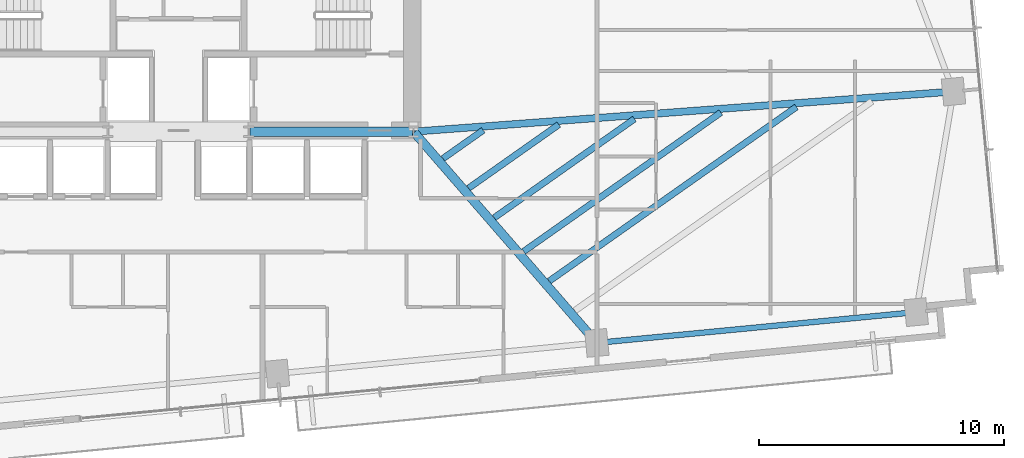
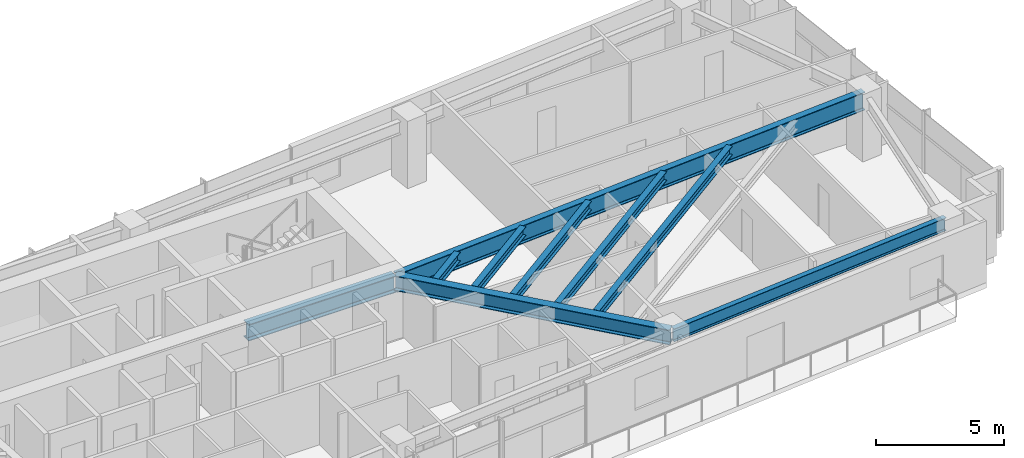
# One storey, part 13 of 27: 9 beams.
"""IFC4 building model written with IfcOpenShell, lengths in metres."""

from ifc_helpers import new_model, si_unit, direction, frame, origin, origin_2d, place, context, subcontext, project, spatial, i_section, extrude, source, transform, mapped, material, material_profile, profile_set, type_object, type_shapes, element, save


model = new_model("IFC4")

# Units and contexts
model_context = context("Model", 3, precision=1e-05, world=origin(), true_north=direction((0.0, 1.0)))
body_context = subcontext(model_context, "Body", "Model", "MODEL_VIEW")
ifc_project = project(units=[si_unit("LENGTHUNIT", "METRE"), si_unit("AREAUNIT", "SQUARE_METRE"), si_unit("VOLUMEUNIT", "CUBIC_METRE"), si_unit("PLANEANGLEUNIT", "RADIAN"), si_unit("MASSUNIT", "GRAM", prefix="KILO")], contexts=[model_context])

# Site, building, storey
site_placement = place(None, origin())
site = spatial("IfcSite", under=ifc_project, at=site_placement, CompositionType="ELEMENT")
building_placement = place(site_placement, origin())
building = spatial("IfcBuilding", under=site, at=building_placement, Name="Astriad Promenade Condominiums", CompositionType="ELEMENT")
storey_placement = place(building_placement, frame((0.0, 0.0, 87.39990234375)))
storey = spatial("IfcBuildingStorey", under=building, at=storey_placement, Name="L24", CompositionType="ELEMENT", Elevation=87.39990234375)

# Beams
ifc_material = material(Name="Steel ASTM A992 Grade 50", Category="steel")
ifc_material_profile_1 = material_profile(ifc_material, i_section(OverallWidth=0.3837890625, OverallDepth=0.785888671875, WebThickness=0.019775390625, FlangeThickness=0.033447265625, FilletRadius=0.021484375, at=origin_2d()), Name="W30X211")
ifc_profile_set_1 = profile_set([ifc_material_profile_1], Name="Steel ASTM A992 Grade 50")
beam_type_1 = type_object("IfcBeamType", Name="STEEL FLOOR GIRDER W30X211", PredefinedType="BEAM", material=ifc_profile_set_1)
shared_shape_1 = source(origin(), body_context, "Body", "SweptSolid", [
    extrude(i_section(OverallWidth=0.3837890625, OverallDepth=0.785888671875, WebThickness=0.019775390625, FlangeThickness=0.033447265625, FilletRadius=0.021484375, at=origin_2d()), origin(), (0.0, 0.0, 1.0), 6.64013671875),
])
type_shapes(beam_type_1, [shared_shape_1])
beam_1_placement = place(storey_placement, frame((38.919921875, 17.39990234375, 2.547119140625), z_axis=(1.0, 0.0, 0.0), x_axis=(0.0, 1.0, 0.0)))
element("IfcBeam", 1, at=beam_1_placement, inside=storey, type_object=beam_type_1, Name="Core Ring Beam CG-S3-L24", PredefinedType="BEAM", context=body_context, shape_type="MappedRepresentation", body=[
    mapped(shared_shape_1, transform((0.0, 0.0, 0.0), scale=1.0)),
])
ifc_material_profile_2 = material_profile(ifc_material, i_section(OverallWidth=0.22900390625, OverallDepth=0.612060546875, WebThickness=0.011962890625, FlangeThickness=0.01953125, FilletRadius=0.017822265625, at=origin_2d()), Name="W24X84")
ifc_profile_set_2 = profile_set([ifc_material_profile_2], Name="Steel ASTM A992 Grade 50")
beam_type_2 = type_object("IfcBeamType", Name="STEEL SPANDREL BEAM W24X84", PredefinedType="SPANDREL", material=ifc_profile_set_2)
shared_shape_2 = source(origin(), body_context, "Body", "SweptSolid", [
    extrude(i_section(OverallWidth=0.22900390625, OverallDepth=0.612060546875, WebThickness=0.011962890625, FlangeThickness=0.01953125, FilletRadius=0.017822265625, at=origin_2d()), origin(), (0.0, 0.0, 1.0), 13.020263671875),
])
type_shapes(beam_type_2, [shared_shape_2])
beam_2_placement = place(storey_placement, frame((53.124755859375, 8.780029296875, 2.634033203125), z_axis=(0.995395311238, 0.095854965264, 0.0), x_axis=(-0.095854965264, 0.995395311238, 0.0)))
element("IfcBeam", 2, at=beam_2_placement, inside=storey, type_object=beam_type_2, Name="Perimeter Spandrel Beam SP-S4-L24", PredefinedType="SPANDREL", context=body_context, shape_type="MappedRepresentation", body=[
    mapped(shared_shape_2, transform((0.0, 0.0, 0.0), scale=1.0)),
])
ifc_material_profile_3 = material_profile(ifc_material, i_section(OverallWidth=0.35791015625, OverallDepth=0.706298828125, WebThickness=0.018310546875, FlangeThickness=0.0302734375, FilletRadius=0.020263671875, at=origin_2d()), Name="W27X178")
ifc_profile_set_3 = profile_set([ifc_material_profile_3], Name="Steel ASTM A992 Grade 50")
beam_type_3 = type_object("IfcBeamType", Name="STEEL FLOOR GIRDER W27X178", PredefinedType="BEAM", material=ifc_profile_set_3)
shared_shape_3 = source(origin(), body_context, "Body", "SweptSolid", [
    extrude(i_section(OverallWidth=0.35791015625, OverallDepth=0.706298828125, WebThickness=0.018310546875, FlangeThickness=0.0302734375, FilletRadius=0.020263671875, at=origin_2d()), origin(), (0.0, 0.0, 1.0), 11.339111328125),
])
type_shapes(beam_type_3, [shared_shape_3])
beam_3_placement = place(storey_placement, frame((53.058837890625, 8.806396484375, 2.5869140625), z_axis=(-0.65548120109, 0.755211490258, 0.0), x_axis=(-0.755211490258, -0.65548120109, 0.0)))
element("IfcBeam", 3, at=beam_3_placement, inside=storey, type_object=beam_type_3, Name="Primary Floor Girder PG-E2-L24", PredefinedType="BEAM", context=body_context, shape_type="MappedRepresentation", body=[
    mapped(shared_shape_3, transform((0.0, 0.0, 0.0), scale=1.0)),
])
ifc_material_profile_4 = material_profile(ifc_material, i_section(OverallWidth=0.2919921875, OverallDepth=0.85888671875, WebThickness=0.01708984375, FlangeThickness=0.031005859375, FilletRadius=0.02294921875, at=origin_2d()), Name="W33X169")
ifc_profile_set_4 = profile_set([ifc_material_profile_4], Name="Steel ASTM A992 Grade 50")
beam_type_4 = type_object("IfcBeamType", Name="STEEL PRIMARY GIRDER W33X169", PredefinedType="BEAM", material=ifc_profile_set_4)
shared_shape_4 = source(origin(), body_context, "Body", "SweptSolid", [
    extrude(i_section(OverallWidth=0.2919921875, OverallDepth=0.85888671875, WebThickness=0.01708984375, FlangeThickness=0.031005859375, FilletRadius=0.02294921875, at=origin_2d()), origin(), (0.0, 0.0, 1.0), 22.029052734375),
])
type_shapes(beam_type_4, [shared_shape_4])
beam_4_placement = place(storey_placement, frame((67.6083984375, 19.036376953125, 2.510498046875), z_axis=(-0.99724763887, -0.074142745897, 0.0), x_axis=(0.074142745897, -0.99724763887, 0.0)))
element("IfcBeam", 4, at=beam_4_placement, inside=storey, type_object=beam_type_4, Name="Primary Floor Girder PG-EM-L24", PredefinedType="BEAM", context=body_context, shape_type="MappedRepresentation", body=[
    mapped(shared_shape_4, transform((0.0, 0.0, 0.0), scale=1.0)),
])
ifc_material_profile_5 = material_profile(ifc_material, i_section(OverallWidth=0.26318359375, OverallDepth=0.425537109375, WebThickness=0.01318359375, FlangeThickness=0.022216796875, FilletRadius=0.013916015625, at=origin_2d()), Name="W16X89")
ifc_profile_set_5 = profile_set([ifc_material_profile_5], Name="Steel ASTM A992 Grade 50")
beam_type_5 = type_object("IfcBeamType", Name="STEEL FLOOR JOIST W16X89", PredefinedType="JOIST", material=ifc_profile_set_5)
shared_shape_5 = source(origin(), body_context, "Body", "SweptSolid", [
    extrude(i_section(OverallWidth=0.26318359375, OverallDepth=0.425537109375, WebThickness=0.01318359375, FlangeThickness=0.022216796875, FilletRadius=0.013916015625, at=origin_2d()), origin(), (0.0, 0.0, 1.0), 12.34375),
])
beam_5_placement = place(storey_placement, frame((51.144287109375, 11.30029296875, 2.727294921875), z_axis=(0.817418723738, 0.576043948048, 0.0), x_axis=(-0.576043948048, 0.817418723738, 0.0)))
element("IfcBeam", 5, at=beam_5_placement, inside=storey, type_object=beam_type_5, Name="Secondary Composite Floor Joist JE1-2-L24", PredefinedType="JOIST", context=body_context, shape_type="MappedRepresentation", body=[
    mapped(shared_shape_5, transform((0.0, 0.0, 0.0), scale=1.0)),
])
shared_shape_6 = source(origin(), body_context, "Body", "SweptSolid", [
    extrude(i_section(OverallWidth=0.26318359375, OverallDepth=0.425537109375, WebThickness=0.01318359375, FlangeThickness=0.022216796875, FilletRadius=0.013916015625, at=origin_2d()), origin(), (0.0, 0.0, 1.0), 9.849609375),
])
beam_6_placement = place(storey_placement, frame((50.096435546875, 12.507568359375, 2.727294921875), z_axis=(0.817418240833, 0.5760446333, 0.0), x_axis=(-0.5760446333, 0.817418240833, 0.0)))
element("IfcBeam", 6, at=beam_6_placement, inside=storey, type_object=beam_type_5, Name="Secondary Composite Floor Joist JE1-3-L24", PredefinedType="JOIST", context=body_context, shape_type="MappedRepresentation", body=[
    mapped(shared_shape_6, transform((0.0, 0.0, 0.0), scale=1.0)),
])
shared_shape_7 = source(origin(), body_context, "Body", "SweptSolid", [
    extrude(i_section(OverallWidth=0.26318359375, OverallDepth=0.425537109375, WebThickness=0.01318359375, FlangeThickness=0.022216796875, FilletRadius=0.013916015625, at=origin_2d()), origin(), (0.0, 0.0, 1.0), 6.9990234375),
])
beam_7_placement = place(storey_placement, frame((48.898681640625, 13.88720703125, 2.727294921875), z_axis=(0.81742196028, 0.576039355298, 0.0), x_axis=(-0.576039355298, 0.81742196028, 0.0)))
element("IfcBeam", 7, at=beam_7_placement, inside=storey, type_object=beam_type_5, Name="Secondary Composite Floor Joist JE1-4-L24", PredefinedType="JOIST", context=body_context, shape_type="MappedRepresentation", body=[
    mapped(shared_shape_7, transform((0.0, 0.0, 0.0), scale=1.0)),
])
shared_shape_8 = source(origin(), body_context, "Body", "SweptSolid", [
    extrude(i_section(OverallWidth=0.26318359375, OverallDepth=0.425537109375, WebThickness=0.01318359375, FlangeThickness=0.022216796875, FilletRadius=0.013916015625, at=origin_2d()), origin(), (0.0, 0.0, 1.0), 4.504638671875),
])
beam_8_placement = place(storey_placement, frame((47.850830078125, 15.0947265625, 2.727294921875), z_axis=(0.817448215019, 0.576002097012, 0.0), x_axis=(-0.576002097012, 0.817448215019, 0.0)))
element("IfcBeam", 8, at=beam_8_placement, inside=storey, type_object=beam_type_5, Name="Secondary Composite Floor Joist JE1-5-L24", PredefinedType="JOIST", context=body_context, shape_type="MappedRepresentation", body=[
    mapped(shared_shape_8, transform((0.0, 0.0, 0.0), scale=1.0)),
])
shared_shape_9 = source(origin(), body_context, "Body", "SweptSolid", [
    extrude(i_section(OverallWidth=0.26318359375, OverallDepth=0.425537109375, WebThickness=0.01318359375, FlangeThickness=0.022216796875, FilletRadius=0.013916015625, at=origin_2d()), origin(), (0.0, 0.0, 1.0), 2.01025390625),
])
type_shapes(beam_type_5, [shared_shape_5, shared_shape_6, shared_shape_7, shared_shape_8, shared_shape_9])
beam_9_placement = place(storey_placement, frame((46.802978515625, 16.302001953125, 2.727294921875), z_axis=(0.8174421453, 0.576010710913, 0.0), x_axis=(-0.576010710913, 0.8174421453, 0.0)))
element("IfcBeam", 9, at=beam_9_placement, inside=storey, type_object=beam_type_5, Name="Secondary Composite Floor Joist JE1-6-L24", PredefinedType="JOIST", context=body_context, shape_type="MappedRepresentation", body=[
    mapped(shared_shape_9, transform((0.0, 0.0, 0.0), scale=1.0)),
])

save(model, "model.ifc")
